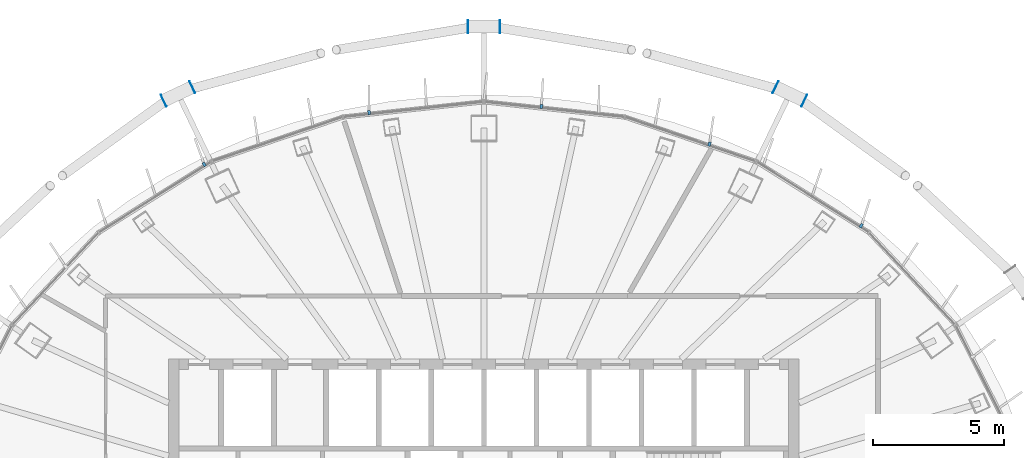
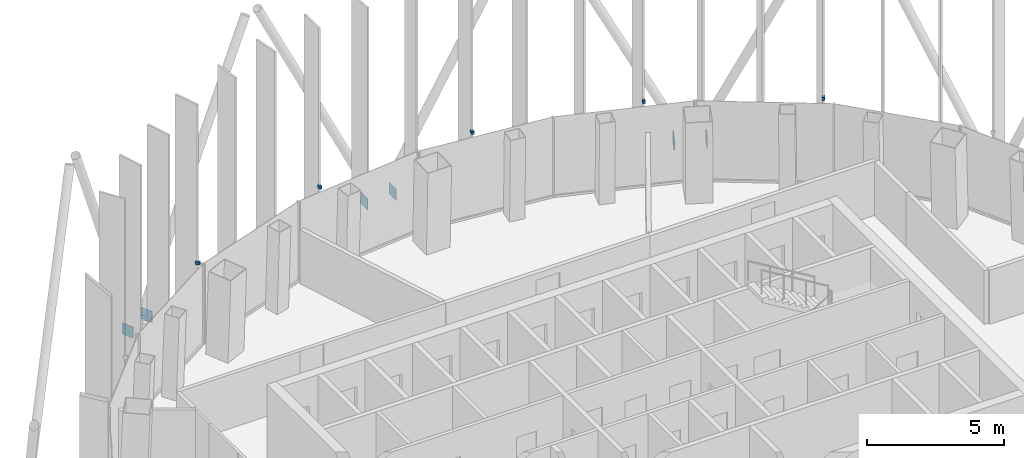
# One storey, part 15 of 19: 11 discrete accessories.
"""IFC4 building model written with IfcOpenShell, lengths in metres."""

from ifc_helpers import new_model, si_unit, direction, frame, origin, origin_2d, place, context, subcontext, project, spatial, rectangle, extrude, material, layer, layer_set, type_object, element, save


model = new_model("IFC4")

# Units and contexts
model_context = context("Model", 3, precision=1e-05, world=origin(), true_north=direction((0.0, 1.0)))
body_context = subcontext(model_context, "Body", "Model", "MODEL_VIEW")
ifc_project = project(units=[si_unit("LENGTHUNIT", "METRE"), si_unit("AREAUNIT", "SQUARE_METRE"), si_unit("VOLUMEUNIT", "CUBIC_METRE"), si_unit("PLANEANGLEUNIT", "RADIAN"), si_unit("MASSUNIT", "GRAM", prefix="KILO")], contexts=[model_context])

# Site, building, storey
site_placement = place(None, origin())
site = spatial("IfcSite", under=ifc_project, at=site_placement, CompositionType="ELEMENT")
building_placement = place(site_placement, origin())
building = spatial("IfcBuilding", under=site, at=building_placement, Name="Siaravel Broadcast Tower", CompositionType="ELEMENT")
storey_placement = place(building_placement, frame((0.0, 0.0, 250.39990234375)))
storey = spatial("IfcBuildingStorey", under=building, at=storey_placement, Name="L61", CompositionType="ELEMENT", Elevation=250.39990234375)

# Discrete accessories
ifc_material_1 = material(Name="Stainless steel 316", Category="steel")
discrete_accessory_type_1 = type_object("IfcDiscreteAccessoryType", Name="Stainless steel fin bracket", PredefinedType="USERDEFINED", material=ifc_material_1)
for number, where, z_axis, x_axis, name in (
    (1, (14.3603515625, 12.276123046875, 3.67529296875), (0.0, 0.0, 1.0), (0.53215093, 0.846649507, 0.0), "Fin bracket L61-07"),
    (2, (8.584716796875, 15.384521484375, 3.67529296875), (0.0, 0.0, 1.0), (0.321302287, 0.946976684, 0.0), "Fin bracket L61-10"),
    (3, (2.187744140625, 16.816650390625, 3.67529296875), (0.0, 0.0, 1.0), (0.107218518, 0.99423548, 0.0), "Fin bracket L61-13"),
    (4, (-4.368896484375, 16.581298828125, 3.67529296875), (0.0, 0.0, 1.0), (-0.107218518, 0.99423548, 0.0), "Fin bracket L61-16"),
    (5, (-10.645263671875, 14.611083984375, 3.67529296875), (0.0, 0.0, 1.0), (-0.53215093, 0.846649507, 0.0), "Fin bracket L61-19"),
):
    element("IfcDiscreteAccessory", number, at=place(storey_placement, frame(where, z_axis=z_axis, x_axis=x_axis)), inside=storey, type_object=discrete_accessory_type_1, Name=name, ObjectType="BRACKET", PredefinedType="USERDEFINED", context=body_context, shape_type="SweptSolid", body=[
        extrude(rectangle(XDim=0.159912109375, YDim=0.10009765625, at=origin_2d()), origin(), (0.0, 0.0, 1.0), 0.139892578125),
    ])
ifc_material_2 = material(Name="Steel S355", Category="steel")
ifc_layer = layer(ifc_material_2, 0.02001953125)
ifc_layer_set = layer_set([ifc_layer], Name="Steel S355")
discrete_accessory_type_2 = type_object("IfcDiscreteAccessoryType", Name="Steel end plate 20 mm", PredefinedType="USERDEFINED", material=ifc_layer_set)
for number, where, z_axis, x_axis, name in (
    (6, (11.099853515625, 17.55322265625, -0.449951171875), (0.0, 0.0, 1.0), (-0.904006456, 0.427518805, 0.0), "End plate R25 station 12A"),
    (7, (12.19091796875, 17.037353515625, -0.449951171875), (0.0, 0.0, 1.0), (-0.904006456, 0.427518805, 0.0), "End plate R25 station 12B"),
    (8, (-0.603515625, 19.85693359375, -0.449951171875), (0.0, 0.0, 1.0), (-1.0, 0.0, 0.0), "End plate R25 station 18A"),
    (9, (0.603515625, 19.85693359375, -0.449951171875), (0.0, 0.0, 1.0), (-1.0, 0.0, 0.0), "End plate R25 station 18B"),
    (10, (-12.19091796875, 17.037353515625, -0.449951171875), (0.0, 0.0, 1.0), (-0.904006456, -0.427518805, 0.0), "End plate R25 station 24A"),
    (11, (-11.099853515625, 17.55322265625, -0.449951171875), (0.0, 0.0, 1.0), (-0.904006456, -0.427518805, 0.0), "End plate R25 station 24B"),
):
    element("IfcDiscreteAccessory", number, at=place(storey_placement, frame(where, z_axis=z_axis, x_axis=x_axis)), inside=storey, type_object=discrete_accessory_type_2, Name=name, ObjectType="END PLATE", PredefinedType="USERDEFINED", context=body_context, shape_type="SweptSolid", body=[
        extrude(rectangle(XDim=0.02001953125, YDim=0.5, at=origin_2d()), origin(), (0.0, 0.0, 1.0), 0.5),
    ])

save(model, "model.ifc")
